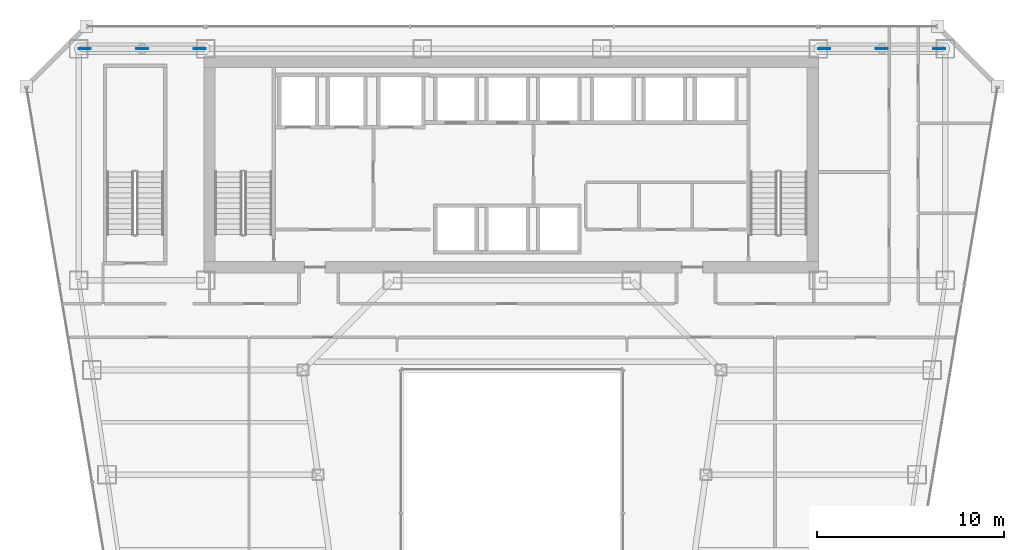
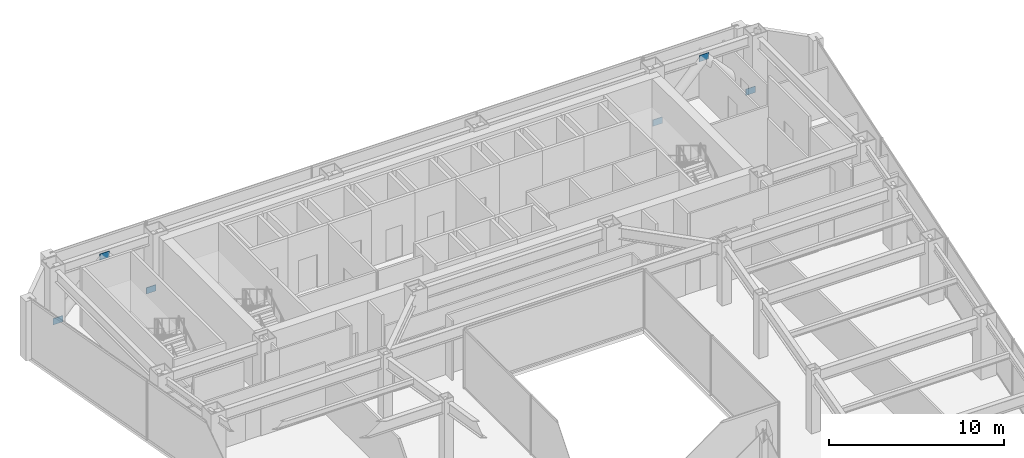
# One storey, part 31 of 37: 6 plates.
"""IFC4 building model written with IfcOpenShell, lengths in metres."""

from ifc_helpers import new_model, si_unit, direction, frame, origin, origin_2d, place, context, subcontext, project, spatial, rectangle, extrude, material, layer, layer_set, type_object, element, save


model = new_model("IFC4")

# Units and contexts
model_context = context("Model", 3, precision=1e-05, world=origin(), true_north=direction((0.0, 1.0)))
body_context = subcontext(model_context, "Body", "Model", "MODEL_VIEW")
ifc_project = project(units=[si_unit("LENGTHUNIT", "METRE"), si_unit("AREAUNIT", "SQUARE_METRE"), si_unit("VOLUMEUNIT", "CUBIC_METRE"), si_unit("PLANEANGLEUNIT", "RADIAN"), si_unit("MASSUNIT", "GRAM", prefix="KILO")], contexts=[model_context])

# Site, building, storey
site_placement = place(None, origin())
site = spatial("IfcSite", under=ifc_project, at=site_placement, CompositionType="ELEMENT")
building_placement = place(site_placement, origin())
building = spatial("IfcBuilding", under=site, at=building_placement, Name="Saevonmaru Cultural Tower", CompositionType="ELEMENT")
storey_placement = place(building_placement, frame((0.0, 0.0, 110.39990234375)))
storey = spatial("IfcBuildingStorey", under=building, at=storey_placement, Name="L23", CompositionType="ELEMENT", Elevation=110.39990234375)

# Plates
ifc_material = material(Name="Steel HSA600 (600 MPa)", Category="steel")
ifc_layer = layer(ifc_material, 0.0400390625, Name="Steel HSA600 (600 MPa)")
ifc_layer_set = layer_set([ifc_layer], Name="Steel HSA600 (600 MPa)")
plate_type = type_object("IfcPlateType", Name="PL-GUSSET-EXT", PredefinedType="USERDEFINED", material=ifc_layer_set)
for number, where, z_axis, x_axis, name in (
    (1, (10.199951171875, 54.800048828125, 3.4501953125), (0.0, 0.0, 1.0), (1.0, 0.0, 0.0), "L23 Perimeter Tube Gusset Plate"),
    (2, (7.1201171875, 54.800048828125, 0.02001953125), (0.0, 0.0, 1.0), (1.0, 0.0, 0.0), "L23 Perimeter Tube Gusset Plate"),
    (3, (13.280029296875, 54.800048828125, 0.02001953125), (0.0, 0.0, 1.0), (1.0, 0.0, 0.0), "L23 Perimeter Tube Gusset Plate"),
    (4, (49.800048828125, 54.800048828125, 3.4501953125), (0.0, 0.0, 1.0), (1.0, 0.0, 0.0), "L23 Perimeter Tube Gusset Plate"),
    (5, (46.719970703125, 54.800048828125, 0.02001953125), (0.0, 0.0, 1.0), (1.0, 0.0, 0.0), "L23 Perimeter Tube Gusset Plate"),
    (6, (52.8798828125, 54.800048828125, 0.02001953125), (0.0, 0.0, 1.0), (1.0, 0.0, 0.0), "L23 Perimeter Tube Gusset Plate"),
):
    element("IfcPlate", number, at=place(storey_placement, frame(where, z_axis=z_axis, x_axis=x_axis)), inside=storey, type_object=plate_type, Name=name, ObjectType="GUSSET_PLATE", PredefinedType="USERDEFINED", context=body_context, shape_type="SweptSolid", body=[
        extrude(rectangle(XDim=0.639892578125, YDim=0.0400390625, at=origin_2d()), origin(), (0.0, 0.0, 1.0), 0.43994140625),
    ])

save(model, "model.ifc")
